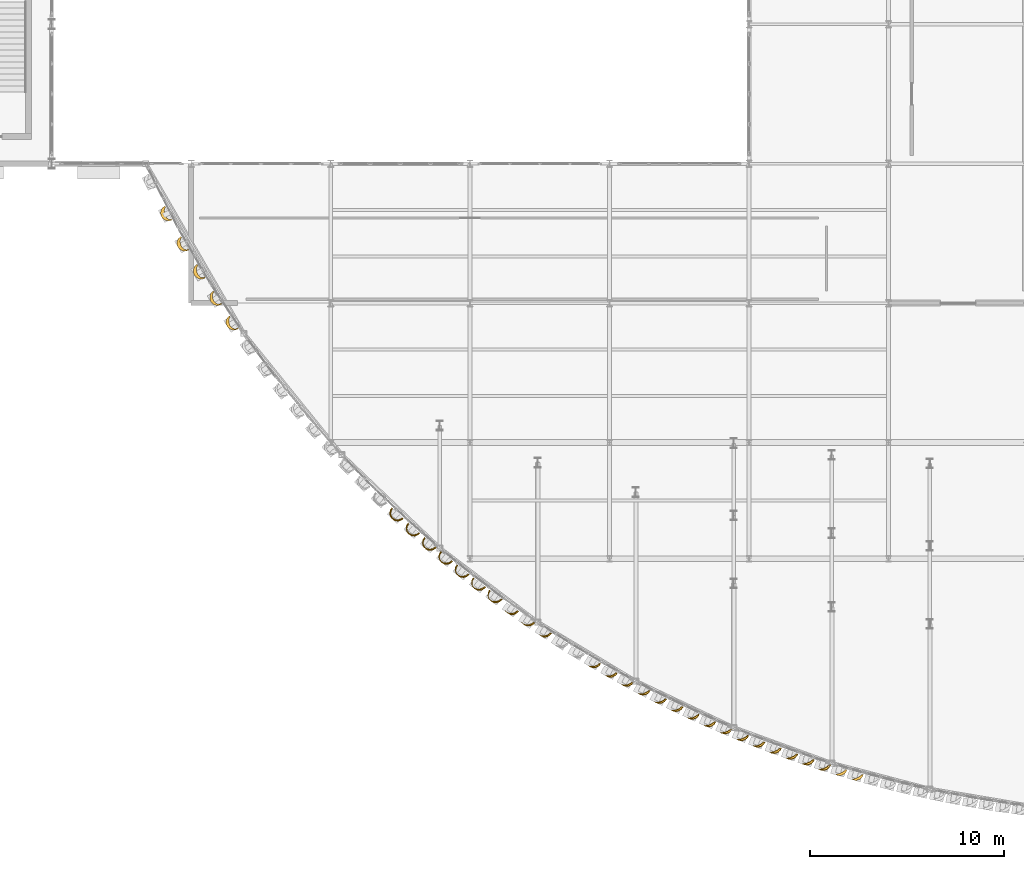
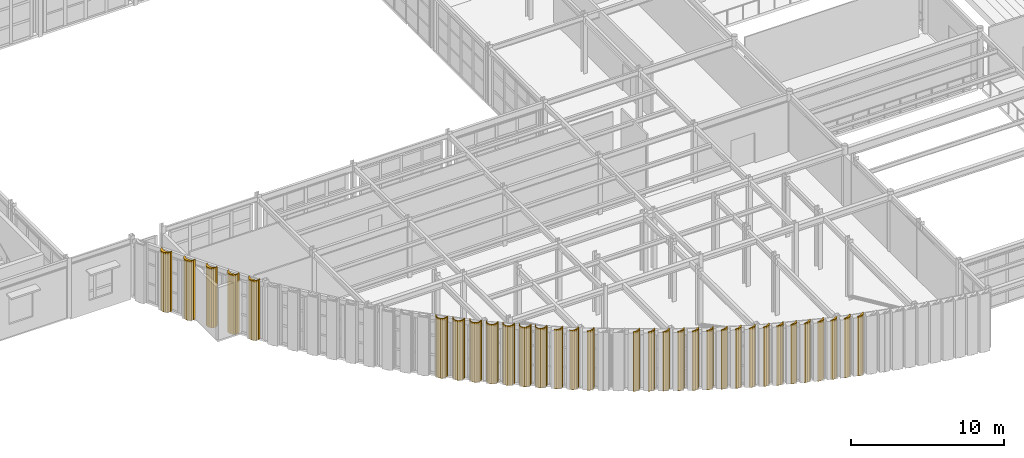
# One storey, part 106 of 121: 32 coverings.
"""IFC4 building model written with IfcOpenShell, lengths in metres."""

from ifc_helpers import new_model, si_unit, direction, frame, origin, place, context, subcontext, project, spatial, polyline, outline, extrude, material, layer, layer_set, type_object, element, save


model = new_model("IFC4")

# Units and contexts
model_context = context("Model", 3, precision=1e-05, world=origin(), true_north=direction((0.0, 1.0)))
body_context = subcontext(model_context, "Body", "Model", "MODEL_VIEW")
ifc_project = project(units=[si_unit("LENGTHUNIT", "METRE"), si_unit("AREAUNIT", "SQUARE_METRE"), si_unit("VOLUMEUNIT", "CUBIC_METRE"), si_unit("PLANEANGLEUNIT", "RADIAN"), si_unit("MASSUNIT", "GRAM", prefix="KILO")], contexts=[model_context])

# Site, building, storey
site_placement = place(None, origin())
site = spatial("IfcSite", under=ifc_project, at=site_placement, CompositionType="ELEMENT")
building_placement = place(site_placement, origin())
building = spatial("IfcBuilding", under=site, at=building_placement, Name="Solvadek Multi-Sports Hall", CompositionType="ELEMENT")
storey_placement = place(building_placement, frame((0.0, 0.0, 4.800048828125)))
storey = spatial("IfcBuildingStorey", under=building, at=storey_placement, Name="L01", CompositionType="ELEMENT", Elevation=4.800048828125)

# Coverings
ifc_material = material(Name="Perforated champagne-bronze anodised aluminium", Category="aluminium")
ifc_layer = layer(ifc_material, 0.06494140625, Name="Perforated champagne-bronze anodised aluminium")
ifc_layer_set = layer_set([ifc_layer], Name="Perforated champagne-bronze anodised aluminium")
covering_type = type_object("IfcCoveringType", Name="ENV-COV-FLUTED", PredefinedType="CLADDING", material=ifc_layer_set)
covering_1_placement = place(storey_placement, frame((0.0, 0.0, 0.010009765625)))
element("IfcCovering", 1, at=covering_1_placement, inside=storey, type_object=covering_type, Name="L01 Perforated Bronze Half-Cylinder Fluted Shell #2", PredefinedType="CLADDING", context=body_context, shape_type="SweptSolid", body=[
    extrude(outline(polyline([(27.815673828125, 17.489013671875), (27.66162109375, 17.446044921875), (27.502685546875, 17.46533203125), (27.36328125, 17.543701171875), (27.2646484375, 17.669677734375), (27.2216796875, 17.82373046875), (27.240966796875, 17.982666015625), (27.319580078125, 18.1220703125), (27.4453125, 18.220703125), (27.474853515625, 18.16259765625), (27.427001953125, 18.07958984375), (27.41015625, 17.96240234375), (27.427001953125, 17.82861328125), (27.474853515625, 17.69921875), (27.546142578125, 17.593017578125), (27.630615234375, 17.527099609375), (27.71484375, 17.5107421875), (27.786376953125, 17.547119140625), (27.815673828125, 17.489013671875)])), origin(), (0.0, 0.0, 1.0), 4.77001953125),
])
covering_2_placement = place(storey_placement, frame((0.0, 0.0, 0.010009765625)))
element("IfcCovering", 2, at=covering_2_placement, inside=storey, type_object=covering_type, Name="L01 Perforated Bronze Half-Cylinder Fluted Shell #5", PredefinedType="CLADDING", context=body_context, shape_type="SweptSolid", body=[
    extrude(outline(polyline([(28.683837890625, 15.94140625), (28.53271484375, 15.88916015625), (28.373046875, 15.898681640625), (28.229248046875, 15.968505859375), (28.123046875, 16.08837890625), (28.07080078125, 16.239501953125), (28.080322265625, 16.399169921875), (28.150146484375, 16.543212890625), (28.27001953125, 16.649169921875), (28.302734375, 16.593017578125), (28.249267578125, 16.50390625), (28.23046875, 16.3828125), (28.249267578125, 16.248291015625), (28.302734375, 16.12109375), (28.382568359375, 16.0205078125), (28.476806640625, 15.961669921875), (28.5712890625, 15.95361328125), (28.651123046875, 15.99755859375), (28.683837890625, 15.94140625)])), origin(), (0.0, 0.0, 1.0), 4.77001953125),
])
covering_3_placement = place(storey_placement, frame((0.0, 0.0, 0.010009765625)))
element("IfcCovering", 3, at=covering_3_placement, inside=storey, type_object=covering_type, Name="L01 Perforated Bronze Half-Cylinder Fluted Shell #6", PredefinedType="CLADDING", context=body_context, shape_type="SweptSolid", body=[
    extrude(outline(polyline([(29.52734375, 14.499755859375), (29.376220703125, 14.447509765625), (29.21630859375, 14.45703125), (29.072509765625, 14.52685546875), (28.96630859375, 14.646484375), (28.9140625, 14.797607421875), (28.923583984375, 14.95751953125), (28.99365234375, 15.101318359375), (29.11328125, 15.20751953125), (29.14599609375, 15.1513671875), (29.0927734375, 15.06201171875), (29.073974609375, 14.94091796875), (29.0927734375, 14.806640625), (29.14599609375, 14.679443359375), (29.22607421875, 14.57861328125), (29.3203125, 14.519775390625), (29.41455078125, 14.51171875), (29.494384765625, 14.555908203125), (29.52734375, 14.499755859375)])), origin(), (0.0, 0.0, 1.0), 4.77001953125),
])
covering_4_placement = place(storey_placement, frame((0.0, 0.0, 0.010009765625)))
element("IfcCovering", 4, at=covering_4_placement, inside=storey, type_object=covering_type, Name="L01 Perforated Bronze Half-Cylinder Fluted Shell #9", PredefinedType="CLADDING", context=body_context, shape_type="SweptSolid", body=[
    extrude(outline(polyline([(30.392822265625, 13.1484375), (30.24462890625, 13.087890625), (30.084716796875, 13.088623046875), (29.937255859375, 13.150390625), (29.82470703125, 13.26416015625), (29.76416015625, 13.412353515625), (29.764892578125, 13.572265625), (29.826904296875, 13.7197265625), (29.9404296875, 13.832275390625), (29.976318359375, 13.778076171875), (29.91796875, 13.683349609375), (29.8974609375, 13.559326171875), (29.91796875, 13.424560546875), (29.976318359375, 13.300048828125), (30.063720703125, 13.204345703125), (30.16650390625, 13.15234375), (30.26953125, 13.151611328125), (30.35693359375, 13.20263671875), (30.392822265625, 13.1484375)])), origin(), (0.0, 0.0, 1.0), 4.77001953125),
])
covering_5_placement = place(storey_placement, frame((0.0, 0.0, 0.010009765625)))
element("IfcCovering", 5, at=covering_5_placement, inside=storey, type_object=covering_type, Name="L01 Perforated Bronze Half-Cylinder Fluted Shell #10", PredefinedType="CLADDING", context=body_context, shape_type="SweptSolid", body=[
    extrude(outline(polyline([(31.236083984375, 11.873046875), (31.088134765625, 11.8125), (30.92822265625, 11.813232421875), (30.78076171875, 11.875), (30.668212890625, 11.98876953125), (30.607666015625, 12.136962890625), (30.6083984375, 12.296875), (30.670166015625, 12.4443359375), (30.783935546875, 12.556884765625), (30.81982421875, 12.502685546875), (30.761474609375, 12.407958984375), (30.740966796875, 12.283935546875), (30.761474609375, 12.149169921875), (30.81982421875, 12.024658203125), (30.906982421875, 11.928955078125), (31.010009765625, 11.876953125), (31.113037109375, 11.876220703125), (31.200439453125, 11.92724609375), (31.236083984375, 11.873046875)])), origin(), (0.0, 0.0, 1.0), 4.77001953125),
])
covering_6_placement = place(storey_placement, frame((0.0, 0.0, 0.010009765625)))
element("IfcCovering", 6, at=covering_6_placement, inside=storey, type_object=covering_type, Name="L01 Perforated Bronze Half-Cylinder Fluted Shell #30", PredefinedType="CLADDING", context=body_context, shape_type="SweptSolid", body=[
    extrude(outline(polyline([(39.756103515625, 2.073486328125), (39.625244140625, 1.981201171875), (39.46923828125, 1.946044921875), (39.3115234375, 1.973388671875), (39.176513671875, 2.058837890625), (39.084228515625, 2.189453125), (39.049072265625, 2.345703125), (39.076416015625, 2.503173828125), (39.161865234375, 2.638427734375), (39.208984375, 2.59375), (39.132080078125, 2.47998046875), (39.105224609375, 2.34716796875), (39.132080078125, 2.2158203125), (39.208984375, 2.10595703125), (39.323486328125, 2.033935546875), (39.458984375, 2.010986328125), (39.59423828125, 2.04052734375), (39.708984375, 2.1181640625), (39.756103515625, 2.073486328125)])), origin(), (0.0, 0.0, 1.0), 4.77001953125),
])
covering_7_placement = place(storey_placement, frame((0.0, 0.0, 0.010009765625)))
element("IfcCovering", 7, at=covering_7_placement, inside=storey, type_object=covering_type, Name="L01 Perforated Bronze Half-Cylinder Fluted Shell #33", PredefinedType="CLADDING", context=body_context, shape_type="SweptSolid", body=[
    extrude(outline(polyline([(40.61328125, 1.311279296875), (40.486083984375, 1.2138671875), (40.33154296875, 1.172607421875), (40.173095703125, 1.193603515625), (40.03466796875, 1.273681640625), (39.937255859375, 1.40087890625), (39.89599609375, 1.555419921875), (39.9169921875, 1.714111328125), (39.997314453125, 1.8525390625), (40.046142578125, 1.8095703125), (39.966552734375, 1.693115234375), (39.938720703125, 1.5595703125), (39.966552734375, 1.429443359375), (40.046142578125, 1.32275390625), (40.1650390625, 1.255126953125), (40.30517578125, 1.237548828125), (40.445556640625, 1.272216796875), (40.564453125, 1.35400390625), (40.61328125, 1.311279296875)])), origin(), (0.0, 0.0, 1.0), 4.77001953125),
])
covering_8_placement = place(storey_placement, frame((0.0, 0.0, 0.010009765625)))
element("IfcCovering", 8, at=covering_8_placement, inside=storey, type_object=covering_type, Name="L01 Perforated Bronze Half-Cylinder Fluted Shell #34", PredefinedType="CLADDING", context=body_context, shape_type="SweptSolid", body=[
    extrude(outline(polyline([(41.456787109375, 0.570068359375), (41.32958984375, 0.472900390625), (41.175048828125, 0.431640625), (41.0166015625, 0.45263671875), (40.8779296875, 0.53271484375), (40.78076171875, 0.65966796875), (40.739501953125, 0.814208984375), (40.760498046875, 0.972900390625), (40.8408203125, 1.111328125), (40.889404296875, 1.068359375), (40.81005859375, 0.951904296875), (40.781982421875, 0.818603515625), (40.81005859375, 0.6884765625), (40.889404296875, 0.58154296875), (41.00830078125, 0.51416015625), (41.148681640625, 0.496337890625), (41.288818359375, 0.53125), (41.40771484375, 0.613037109375), (41.456787109375, 0.570068359375)])), origin(), (0.0, 0.0, 1.0), 4.77001953125),
])
covering_9_placement = place(storey_placement, frame((0.0, 0.0, 0.010009765625)))
element("IfcCovering", 9, at=covering_9_placement, inside=storey, type_object=covering_type, Name="L01 Perforated Bronze Half-Cylinder Fluted Shell #37", PredefinedType="CLADDING", context=body_context, shape_type="SweptSolid", body=[
    extrude(outline(polyline([(42.31298828125, -0.134033203125), (42.18994140625, -0.236083984375), (42.037109375, -0.283203125), (41.877685546875, -0.268310546875), (41.736328125, -0.193359375), (41.63427734375, -0.0703125), (41.587158203125, 0.082763671875), (41.602294921875, 0.241943359375), (41.677001953125, 0.38330078125), (41.727294921875, 0.34228515625), (41.645263671875, 0.223388671875), (41.616455078125, 0.08935546875), (41.645263671875, -0.039306640625), (41.727294921875, -0.14306640625), (41.85009765625, -0.205810546875), (41.9951171875, -0.218505859375), (42.139892578125, -0.178955078125), (42.2626953125, -0.093017578125), (42.31298828125, -0.134033203125)])), origin(), (0.0, 0.0, 1.0), 4.77001953125),
])
covering_10_placement = place(storey_placement, frame((0.0, 0.0, 0.010009765625)))
element("IfcCovering", 10, at=covering_10_placement, inside=storey, type_object=covering_type, Name="L01 Perforated Bronze Half-Cylinder Fluted Shell #38", PredefinedType="CLADDING", context=body_context, shape_type="SweptSolid", body=[
    extrude(outline(polyline([(43.156494140625, -0.820068359375), (43.033203125, -0.922119140625), (42.88037109375, -0.96923828125), (42.72119140625, -0.954345703125), (42.57958984375, -0.87939453125), (42.477783203125, -0.75634765625), (42.4306640625, -0.603515625), (42.445556640625, -0.444091796875), (42.5205078125, -0.302734375), (42.57080078125, -0.34375), (42.48876953125, -0.462646484375), (42.4599609375, -0.5966796875), (42.48876953125, -0.725341796875), (42.57080078125, -0.8291015625), (42.693603515625, -0.89208984375), (42.83837890625, -0.904541015625), (42.9833984375, -0.864990234375), (43.106201171875, -0.779052734375), (43.156494140625, -0.820068359375)])), origin(), (0.0, 0.0, 1.0), 4.77001953125),
])
covering_11_placement = place(storey_placement, frame((0.0, 0.0, 0.010009765625)))
element("IfcCovering", 11, at=covering_11_placement, inside=storey, type_object=covering_type, Name="L01 Perforated Bronze Half-Cylinder Fluted Shell #41", PredefinedType="CLADDING", context=body_context, shape_type="SweptSolid", body=[
    extrude(outline(polyline([(44.01220703125, -1.471435546875), (43.892822265625, -1.577880859375), (43.74169921875, -1.630615234375), (43.58203125, -1.62158203125), (43.43798828125, -1.552001953125), (43.33154296875, -1.4326171875), (43.27880859375, -1.28173828125), (43.287841796875, -1.121826171875), (43.357421875, -0.977783203125), (43.4091796875, -1.01708984375), (43.324951171875, -1.13818359375), (43.295166015625, -1.272705078125), (43.324951171875, -1.399658203125), (43.4091796875, -1.500244140625), (43.53564453125, -1.55859375), (43.684814453125, -1.56640625), (43.833984375, -1.52197265625), (43.960205078125, -1.432373046875), (44.01220703125, -1.471435546875)])), origin(), (0.0, 0.0, 1.0), 4.77001953125),
])
covering_12_placement = place(storey_placement, frame((0.0, 0.0, 0.010009765625)))
element("IfcCovering", 12, at=covering_12_placement, inside=storey, type_object=covering_type, Name="L01 Perforated Bronze Half-Cylinder Fluted Shell #42", PredefinedType="CLADDING", context=body_context, shape_type="SweptSolid", body=[
    extrude(outline(polyline([(44.855712890625, -2.107421875), (44.736083984375, -2.2138671875), (44.585205078125, -2.2666015625), (44.42529296875, -2.257568359375), (44.281494140625, -2.18798828125), (44.1748046875, -2.068603515625), (44.122314453125, -1.91748046875), (44.13134765625, -1.7578125), (44.20068359375, -1.61376953125), (44.252685546875, -1.65283203125), (44.168212890625, -1.774169921875), (44.138671875, -1.908447265625), (44.168212890625, -2.03564453125), (44.252685546875, -2.135986328125), (44.379150390625, -2.194580078125), (44.5283203125, -2.202392578125), (44.67724609375, -2.157958984375), (44.8037109375, -2.068359375), (44.855712890625, -2.107421875)])), origin(), (0.0, 0.0, 1.0), 4.77001953125),
])
covering_13_placement = place(storey_placement, frame((0.0, 0.0, 0.010009765625)))
element("IfcCovering", 13, at=covering_13_placement, inside=storey, type_object=covering_type, Name="L01 Perforated Bronze Half-Cylinder Fluted Shell #45", PredefinedType="CLADDING", context=body_context, shape_type="SweptSolid", body=[
    extrude(outline(polyline([(45.71044921875, -2.71044921875), (45.594970703125, -2.8212890625), (45.446044921875, -2.87939453125), (45.285888671875, -2.8759765625), (45.1396484375, -2.8115234375), (45.02880859375, -2.696044921875), (44.970703125, -2.547119140625), (44.97412109375, -2.38720703125), (45.03857421875, -2.240478515625), (45.091796875, -2.27783203125), (45.005126953125, -2.401123046875), (44.974609375, -2.53564453125), (45.005126953125, -2.6611328125), (45.091796875, -2.75830078125), (45.221435546875, -2.8125), (45.37451171875, -2.815185546875), (45.527587890625, -2.766357421875), (45.6572265625, -2.67333984375), (45.71044921875, -2.71044921875)])), origin(), (0.0, 0.0, 1.0), 4.77001953125),
])
covering_14_placement = place(storey_placement, frame((0.0, 0.0, 0.010009765625)))
element("IfcCovering", 14, at=covering_14_placement, inside=storey, type_object=covering_type, Name="L01 Perforated Bronze Half-Cylinder Fluted Shell #46", PredefinedType="CLADDING", context=body_context, shape_type="SweptSolid", body=[
    extrude(outline(polyline([(46.553955078125, -3.30029296875), (46.4384765625, -3.410888671875), (46.289306640625, -3.468994140625), (46.12939453125, -3.4658203125), (45.98291015625, -3.4013671875), (45.872314453125, -3.285888671875), (45.814208984375, -3.13671875), (45.817626953125, -2.976806640625), (45.882080078125, -2.830322265625), (45.935302734375, -2.86767578125), (45.8486328125, -2.990966796875), (45.818115234375, -3.12548828125), (45.8486328125, -3.2509765625), (45.935302734375, -3.34814453125), (46.06494140625, -3.402099609375), (46.218017578125, -3.405029296875), (46.37109375, -3.356201171875), (46.500732421875, -3.26318359375), (46.553955078125, -3.30029296875)])), origin(), (0.0, 0.0, 1.0), 4.77001953125),
])
covering_15_placement = place(storey_placement, frame((0.0, 0.0, 0.010009765625)))
element("IfcCovering", 15, at=covering_15_placement, inside=storey, type_object=covering_type, Name="L01 Perforated Bronze Half-Cylinder Fluted Shell #49", PredefinedType="CLADDING", context=body_context, shape_type="SweptSolid", body=[
    extrude(outline(polyline([(47.408203125, -3.858642578125), (47.296875, -3.973388671875), (47.14990234375, -4.03662109375), (46.989990234375, -4.038818359375), (46.84130859375, -3.979736328125), (46.7265625, -3.8681640625), (46.663330078125, -3.72119140625), (46.6611328125, -3.561279296875), (46.72021484375, -3.41259765625), (46.77490234375, -3.447998046875), (46.68603515625, -3.572998046875), (46.65478515625, -3.70751953125), (46.68603515625, -3.831298828125), (46.77490234375, -3.925048828125), (46.90771484375, -3.974853515625), (47.064208984375, -3.97314453125), (47.220947265625, -3.919921875), (47.353759765625, -3.823486328125), (47.408203125, -3.858642578125)])), origin(), (0.0, 0.0, 1.0), 4.77001953125),
])
covering_16_placement = place(storey_placement, frame((0.0, 0.0, 0.010009765625)))
element("IfcCovering", 16, at=covering_16_placement, inside=storey, type_object=covering_type, Name="L01 Perforated Bronze Half-Cylinder Fluted Shell #54", PredefinedType="CLADDING", context=body_context, shape_type="SweptSolid", body=[
    extrude(outline(polyline([(49.948974609375, -5.42919921875), (49.84130859375, -5.547607421875), (49.696533203125, -5.615966796875), (49.536865234375, -5.62353515625), (49.38623046875, -5.569580078125), (49.267822265625, -5.4619140625), (49.19970703125, -5.317138671875), (49.19189453125, -5.157470703125), (49.24609375, -5.0068359375), (49.3017578125, -5.040283203125), (49.211181640625, -5.1669921875), (49.17919921875, -5.301513671875), (49.211181640625, -5.42333984375), (49.3017578125, -5.513916015625), (49.4375, -5.559326171875), (49.597412109375, -5.552734375), (49.757568359375, -5.495361328125), (49.893310546875, -5.395751953125), (49.948974609375, -5.42919921875)])), origin(), (0.0, 0.0, 1.0), 4.77001953125),
])
covering_17_placement = place(storey_placement, frame((0.0, 0.0, 0.010009765625)))
element("IfcCovering", 17, at=covering_17_placement, inside=storey, type_object=covering_type, Name="L01 Perforated Bronze Half-Cylinder Fluted Shell #57", PredefinedType="CLADDING", context=body_context, shape_type="SweptSolid", body=[
    extrude(outline(polyline([(50.802001953125, -5.906982421875), (50.698486328125, -6.029052734375), (50.556396484375, -6.10205078125), (50.396728515625, -6.114990234375), (50.244384765625, -6.066162109375), (50.12255859375, -5.96240234375), (50.049560546875, -5.8203125), (50.03662109375, -5.660888671875), (50.08544921875, -5.508544921875), (50.142333984375, -5.5400390625), (50.0498046875, -5.668212890625), (50.017333984375, -5.802490234375), (50.0498046875, -5.922119140625), (50.142333984375, -6.00927734375), (50.280517578125, -6.050537109375), (50.44384765625, -6.03955078125), (50.60693359375, -5.97802734375), (50.745361328125, -5.87548828125), (50.802001953125, -5.906982421875)])), origin(), (0.0, 0.0, 1.0), 4.77001953125),
])
covering_18_placement = place(storey_placement, frame((0.0, 0.0, 0.010009765625)))
element("IfcCovering", 18, at=covering_18_placement, inside=storey, type_object=covering_type, Name="L01 Perforated Bronze Half-Cylinder Fluted Shell #58", PredefinedType="CLADDING", context=body_context, shape_type="SweptSolid", body=[
    extrude(outline(polyline([(51.6455078125, -6.376220703125), (51.5419921875, -6.498046875), (51.399658203125, -6.571044921875), (51.240234375, -6.583984375), (51.087890625, -6.53515625), (50.966064453125, -6.431640625), (50.89306640625, -6.289306640625), (50.8798828125, -6.1298828125), (50.928955078125, -5.9775390625), (50.98583984375, -6.00927734375), (50.893310546875, -6.13720703125), (50.86083984375, -6.271484375), (50.893310546875, -6.39111328125), (50.98583984375, -6.478271484375), (51.1240234375, -6.51953125), (51.287353515625, -6.508544921875), (51.450439453125, -6.447021484375), (51.5888671875, -6.344482421875), (51.6455078125, -6.376220703125)])), origin(), (0.0, 0.0, 1.0), 4.77001953125),
])
covering_19_placement = place(storey_placement, frame((0.0, 0.0, 0.010009765625)))
element("IfcCovering", 19, at=covering_19_placement, inside=storey, type_object=covering_type, Name="L01 Perforated Bronze Half-Cylinder Fluted Shell #61", PredefinedType="CLADDING", context=body_context, shape_type="SweptSolid", body=[
    extrude(outline(polyline([(52.498291015625, -6.817138671875), (52.398681640625, -6.9423828125), (52.259033203125, -7.02001953125), (52.10009765625, -7.038330078125), (51.9462890625, -6.994384765625), (51.82080078125, -6.89501953125), (51.7431640625, -6.7548828125), (51.72509765625, -6.59619140625), (51.76904296875, -6.4423828125), (51.826904296875, -6.471923828125), (51.732666015625, -6.601318359375), (51.69970703125, -6.735107421875), (51.732666015625, -6.852783203125), (51.826904296875, -6.9365234375), (51.967529296875, -6.973388671875), (52.133544921875, -6.9580078125), (52.2998046875, -6.892822265625), (52.4404296875, -6.787353515625), (52.498291015625, -6.817138671875)])), origin(), (0.0, 0.0, 1.0), 4.77001953125),
])
covering_20_placement = place(storey_placement, frame((0.0, 0.0, 0.010009765625)))
element("IfcCovering", 20, at=covering_20_placement, inside=storey, type_object=covering_type, Name="L01 Perforated Bronze Half-Cylinder Fluted Shell #62", PredefinedType="CLADDING", context=body_context, shape_type="SweptSolid", body=[
    extrude(outline(polyline([(53.341796875, -7.25048828125), (53.2421875, -7.375732421875), (53.102294921875, -7.45361328125), (52.943603515625, -7.4716796875), (52.789794921875, -7.427734375), (52.664306640625, -7.328369140625), (52.586669921875, -7.1884765625), (52.568359375, -7.029541015625), (52.6123046875, -6.875732421875), (52.670166015625, -6.905517578125), (52.576171875, -7.034912109375), (52.543212890625, -7.168701171875), (52.576171875, -7.286376953125), (52.670166015625, -7.3701171875), (52.81103515625, -7.406982421875), (52.97705078125, -7.3916015625), (53.14306640625, -7.326171875), (53.283935546875, -7.220703125), (53.341796875, -7.25048828125)])), origin(), (0.0, 0.0, 1.0), 4.77001953125),
])
covering_21_placement = place(storey_placement, frame((0.0, 0.0, 0.010009765625)))
element("IfcCovering", 21, at=covering_21_placement, inside=storey, type_object=covering_type, Name="L01 Perforated Bronze Half-Cylinder Fluted Shell #65", PredefinedType="CLADDING", context=body_context, shape_type="SweptSolid", body=[
    extrude(outline(polyline([(54.19384765625, -7.656494140625), (54.098388671875, -7.784912109375), (53.961181640625, -7.8671875), (53.802978515625, -7.890380859375), (53.64794921875, -7.8515625), (53.519287109375, -7.756103515625), (53.437255859375, -7.618896484375), (53.413818359375, -7.460693359375), (53.452880859375, -7.305419921875), (53.51171875, -7.333251953125), (53.416015625, -7.4638671875), (53.382568359375, -7.59716796875), (53.416015625, -7.712646484375), (53.51171875, -7.792724609375), (53.65478515625, -7.82568359375), (53.823486328125, -7.805908203125), (53.9921875, -7.73681640625), (54.13525390625, -7.62890625), (54.19384765625, -7.656494140625)])), origin(), (0.0, 0.0, 1.0), 4.77001953125),
])
covering_22_placement = place(storey_placement, frame((0.0, 0.0, 0.010009765625)))
element("IfcCovering", 22, at=covering_22_placement, inside=storey, type_object=covering_type, Name="L01 Perforated Bronze Half-Cylinder Fluted Shell #66", PredefinedType="CLADDING", context=body_context, shape_type="SweptSolid", body=[
    extrude(outline(polyline([(55.037353515625, -8.05615234375), (54.94189453125, -8.1845703125), (54.8046875, -8.2666015625), (54.646484375, -8.2900390625), (54.4912109375, -8.251220703125), (54.36279296875, -8.15576171875), (54.28076171875, -8.0185546875), (54.25732421875, -7.860107421875), (54.29638671875, -7.705078125), (54.35498046875, -7.73291015625), (54.259521484375, -7.863525390625), (54.225830078125, -7.99658203125), (54.259521484375, -8.112060546875), (54.35498046875, -8.1923828125), (54.498046875, -8.22509765625), (54.666748046875, -8.20556640625), (54.83544921875, -8.136474609375), (54.978515625, -8.0283203125), (55.037353515625, -8.05615234375)])), origin(), (0.0, 0.0, 1.0), 4.77001953125),
])
covering_23_placement = place(storey_placement, frame((0.0, 0.0, 0.010009765625)))
element("IfcCovering", 23, at=covering_23_placement, inside=storey, type_object=covering_type, Name="L01 Perforated Bronze Half-Cylinder Fluted Shell #69", PredefinedType="CLADDING", context=body_context, shape_type="SweptSolid", body=[
    extrude(outline(polyline([(55.88916015625, -8.428955078125), (55.7978515625, -8.560302734375), (55.6630859375, -8.646728515625), (55.505859375, -8.67529296875), (55.349609375, -8.64111328125), (55.218017578125, -8.5498046875), (55.131591796875, -8.415283203125), (55.103271484375, -8.2578125), (55.13720703125, -8.1015625), (55.19677734375, -8.127685546875), (55.099853515625, -8.259033203125), (55.065673828125, -8.3916015625), (55.099853515625, -8.5048828125), (55.19677734375, -8.58154296875), (55.341796875, -8.610107421875), (55.51318359375, -8.586181640625), (55.684326171875, -8.513427734375), (55.82958984375, -8.40283203125), (55.88916015625, -8.428955078125)])), origin(), (0.0, 0.0, 1.0), 4.77001953125),
])
covering_24_placement = place(storey_placement, frame((0.0, 0.0, 0.010009765625)))
element("IfcCovering", 24, at=covering_24_placement, inside=storey, type_object=covering_type, Name="L01 Perforated Bronze Half-Cylinder Fluted Shell #70", PredefinedType="CLADDING", context=body_context, shape_type="SweptSolid", body=[
    extrude(outline(polyline([(56.732421875, -8.7958984375), (56.641357421875, -8.927490234375), (56.506591796875, -9.013916015625), (56.349365234375, -9.042236328125), (56.19287109375, -9.00830078125), (56.0615234375, -8.9169921875), (55.97509765625, -8.782470703125), (55.946533203125, -8.625), (55.980712890625, -8.46875), (56.040283203125, -8.49462890625), (55.943359375, -8.626220703125), (55.9091796875, -8.7587890625), (55.943359375, -8.871826171875), (56.040283203125, -8.94873046875), (56.185302734375, -8.977294921875), (56.356689453125, -8.953369140625), (56.52783203125, -8.880615234375), (56.6728515625, -8.77001953125), (56.732421875, -8.7958984375)])), origin(), (0.0, 0.0, 1.0), 4.77001953125),
])
covering_25_placement = place(storey_placement, frame((0.0, 0.0, 0.010009765625)))
element("IfcCovering", 25, at=covering_25_placement, inside=storey, type_object=covering_type, Name="L01 Perforated Bronze Half-Cylinder Fluted Shell #73", PredefinedType="CLADDING", context=body_context, shape_type="SweptSolid", body=[
    extrude(outline(polyline([(57.583740234375, -9.136962890625), (57.49658203125, -9.27099609375), (57.364990234375, -9.36181640625), (57.20849609375, -9.39501953125), (57.05126953125, -9.365966796875), (56.9169921875, -9.27880859375), (56.826416015625, -9.147216796875), (56.79296875, -8.99072265625), (56.822021484375, -8.83349609375), (56.88232421875, -8.857421875), (56.7841796875, -8.98974609375), (56.749755859375, -9.12158203125), (56.7841796875, -9.232421875), (56.88232421875, -9.3056640625), (57.029541015625, -9.330078125), (57.202880859375, -9.302001953125), (57.37646484375, -9.2255859375), (57.5234375, -9.11279296875), (57.583740234375, -9.136962890625)])), origin(), (0.0, 0.0, 1.0), 4.77001953125),
])
covering_26_placement = place(storey_placement, frame((0.0, 0.0, 0.010009765625)))
element("IfcCovering", 26, at=covering_26_placement, inside=storey, type_object=covering_type, Name="L01 Perforated Bronze Half-Cylinder Fluted Shell #74", PredefinedType="CLADDING", context=body_context, shape_type="SweptSolid", body=[
    extrude(outline(polyline([(58.42724609375, -9.472900390625), (58.340087890625, -9.607177734375), (58.20849609375, -9.69775390625), (58.052001953125, -9.731201171875), (57.89453125, -9.7021484375), (57.760498046875, -9.614990234375), (57.669677734375, -9.483154296875), (57.636474609375, -9.32666015625), (57.66552734375, -9.16943359375), (57.725830078125, -9.193603515625), (57.627685546875, -9.32568359375), (57.593017578125, -9.45751953125), (57.627685546875, -9.568359375), (57.725830078125, -9.6416015625), (57.872802734375, -9.666015625), (58.04638671875, -9.63818359375), (58.2197265625, -9.561767578125), (58.366943359375, -9.448974609375), (58.42724609375, -9.472900390625)])), origin(), (0.0, 0.0, 1.0), 4.77001953125),
])
covering_27_placement = place(storey_placement, frame((0.0, 0.0, 0.010009765625)))
element("IfcCovering", 27, at=covering_27_placement, inside=storey, type_object=covering_type, Name="L01 Perforated Bronze Half-Cylinder Fluted Shell #77", PredefinedType="CLADDING", context=body_context, shape_type="SweptSolid", body=[
    extrude(outline(polyline([(59.278076171875, -9.783203125), (59.1953125, -9.920166015625), (59.06640625, -10.014892578125), (58.910888671875, -10.052978515625), (58.752685546875, -10.02880859375), (58.615966796875, -9.94580078125), (58.521240234375, -9.81689453125), (58.483154296875, -9.66162109375), (58.50732421875, -9.50341796875), (58.568359375, -9.525634765625), (58.468994140625, -9.65869140625), (58.43408203125, -9.789306640625), (58.468994140625, -9.89794921875), (58.568359375, -9.9677734375), (58.71728515625, -9.988037109375), (58.892578125, -9.955810546875), (59.068115234375, -9.876220703125), (59.217041015625, -9.760986328125), (59.278076171875, -9.783203125)])), origin(), (0.0, 0.0, 1.0), 4.77001953125),
])
covering_28_placement = place(storey_placement, frame((0.0, 0.0, 0.010009765625)))
element("IfcCovering", 28, at=covering_28_placement, inside=storey, type_object=covering_type, Name="L01 Perforated Bronze Half-Cylinder Fluted Shell #78", PredefinedType="CLADDING", context=body_context, shape_type="SweptSolid", body=[
    extrude(outline(polyline([(60.12158203125, -10.08935546875), (60.03857421875, -10.226318359375), (59.90966796875, -10.32080078125), (59.75439453125, -10.35888671875), (59.59619140625, -10.3349609375), (59.45947265625, -10.251953125), (59.36474609375, -10.123046875), (59.326416015625, -9.9677734375), (59.3505859375, -9.8095703125), (59.411865234375, -9.831787109375), (59.3125, -9.96484375), (59.277587890625, -10.095458984375), (59.3125, -10.2041015625), (59.411865234375, -10.273681640625), (59.560546875, -10.294189453125), (59.736083984375, -10.261962890625), (59.91162109375, -10.182373046875), (60.060302734375, -10.067138671875), (60.12158203125, -10.08935546875)])), origin(), (0.0, 0.0, 1.0), 4.77001953125),
])
covering_29_placement = place(storey_placement, frame((0.0, 0.0, 0.010009765625)))
element("IfcCovering", 29, at=covering_29_placement, inside=storey, type_object=covering_type, Name="L01 Perforated Bronze Half-Cylinder Fluted Shell #81", PredefinedType="CLADDING", context=body_context, shape_type="SweptSolid", body=[
    extrude(outline(polyline([(60.971923828125, -10.3701171875), (60.893310546875, -10.50927734375), (60.767333984375, -10.60791015625), (60.61328125, -10.65087890625), (60.454345703125, -10.631591796875), (60.315185546875, -10.552978515625), (60.216552734375, -10.427001953125), (60.173583984375, -10.27294921875), (60.19287109375, -10.114013671875), (60.254638671875, -10.134521484375), (60.154296875, -10.26806640625), (60.118896484375, -10.397705078125), (60.154296875, -10.503662109375), (60.254638671875, -10.56982421875), (60.405029296875, -10.586181640625), (60.58251953125, -10.550048828125), (60.759765625, -10.467041015625), (60.91015625, -10.349609375), (60.971923828125, -10.3701171875)])), origin(), (0.0, 0.0, 1.0), 4.77001953125),
])
covering_30_placement = place(storey_placement, frame((0.0, 0.0, 0.010009765625)))
element("IfcCovering", 30, at=covering_30_placement, inside=storey, type_object=covering_type, Name="L01 Perforated Bronze Half-Cylinder Fluted Shell #82", PredefinedType="CLADDING", context=body_context, shape_type="SweptSolid", body=[
    extrude(outline(polyline([(61.8154296875, -10.647216796875), (61.73681640625, -10.786376953125), (61.61083984375, -10.885009765625), (61.456787109375, -10.927978515625), (61.2978515625, -10.90869140625), (61.15869140625, -10.830078125), (61.059814453125, -10.7041015625), (61.01708984375, -10.550048828125), (61.036376953125, -10.39111328125), (61.09814453125, -10.41162109375), (60.99755859375, -10.545166015625), (60.96240234375, -10.6748046875), (60.99755859375, -10.78076171875), (61.09814453125, -10.846923828125), (61.24853515625, -10.86328125), (61.42578125, -10.8271484375), (61.603271484375, -10.744140625), (61.753662109375, -10.626708984375), (61.8154296875, -10.647216796875)])), origin(), (0.0, 0.0, 1.0), 4.77001953125),
])
covering_31_placement = place(storey_placement, frame((0.0, 0.0, 0.010009765625)))
element("IfcCovering", 31, at=covering_31_placement, inside=storey, type_object=covering_type, Name="L01 Perforated Bronze Half-Cylinder Fluted Shell #85", PredefinedType="CLADDING", context=body_context, shape_type="SweptSolid", body=[
    extrude(outline(polyline([(62.665283203125, -10.899169921875), (62.591064453125, -11.041015625), (62.46826171875, -11.143310546875), (62.3154296875, -11.19091796875), (62.156005859375, -11.17626953125), (62.014404296875, -11.10205078125), (61.912109375, -10.97900390625), (61.864501953125, -10.826416015625), (61.87890625, -10.6669921875), (61.94140625, -10.685302734375), (61.83984375, -10.819580078125), (61.80419921875, -10.947998046875), (61.83984375, -11.051513671875), (61.94140625, -11.114013671875), (62.093017578125, -11.126220703125), (62.272216796875, -11.086181640625), (62.451416015625, -11.0), (62.60302734375, -10.880859375), (62.665283203125, -10.899169921875)])), origin(), (0.0, 0.0, 1.0), 4.77001953125),
])
covering_32_placement = place(storey_placement, frame((0.0, 0.0, 0.010009765625)))
element("IfcCovering", 32, at=covering_32_placement, inside=storey, type_object=covering_type, Name="L01 Perforated Bronze Half-Cylinder Fluted Shell #86", PredefinedType="CLADDING", context=body_context, shape_type="SweptSolid", body=[
    extrude(outline(polyline([(63.5087890625, -11.148193359375), (63.4345703125, -11.289794921875), (63.3115234375, -11.392333984375), (63.158935546875, -11.43994140625), (62.99951171875, -11.42529296875), (62.85791015625, -11.35107421875), (62.755615234375, -11.22802734375), (62.7080078125, -11.075439453125), (62.722412109375, -10.916015625), (62.784912109375, -10.9345703125), (62.683349609375, -11.068603515625), (62.647705078125, -11.197021484375), (62.683349609375, -11.300537109375), (62.784912109375, -11.363037109375), (62.9365234375, -11.375244140625), (63.11572265625, -11.335205078125), (63.294677734375, -11.2490234375), (63.446533203125, -11.1298828125), (63.5087890625, -11.148193359375)])), origin(), (0.0, 0.0, 1.0), 4.77001953125),
])

save(model, "model.ifc")
